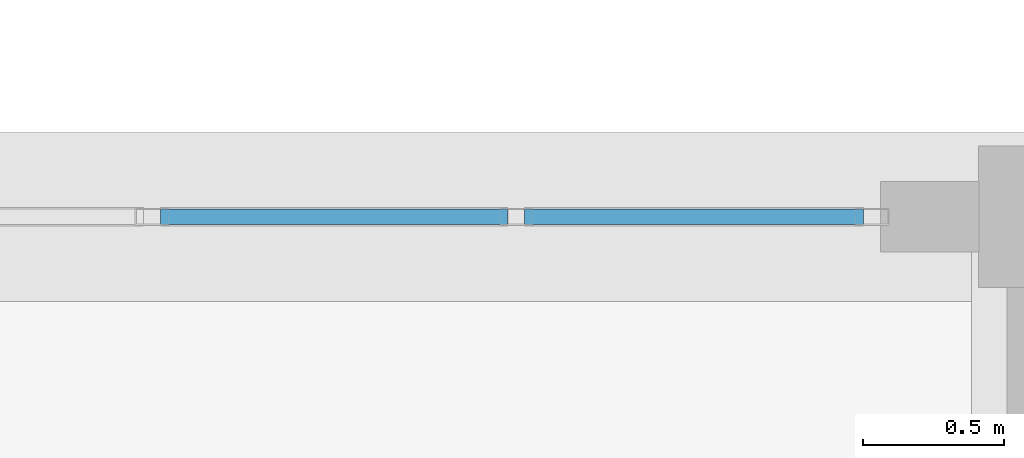
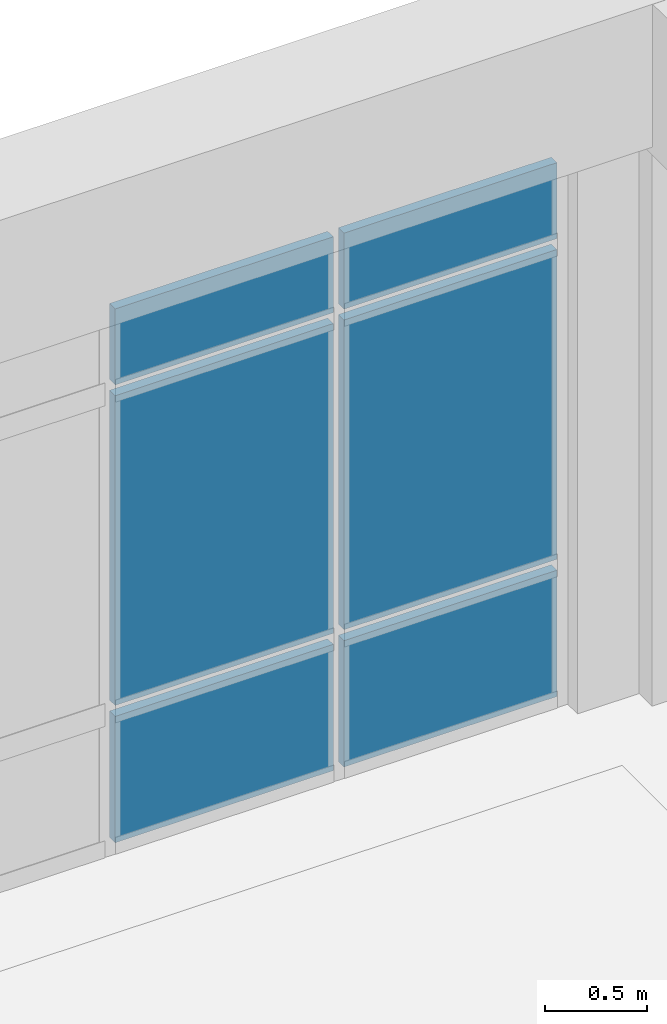
# One storey, part 74 of 109: 6 plates, 1 element without a shape of its own.
"""IFC4 building model written with IfcOpenShell, lengths in metres."""

from ifc_helpers import new_model, si_unit, direction, frame, origin, origin_2d, place, context, subcontext, project, spatial, rectangle, extrude, material, layer, layer_set, type_object, element, aggregate, save


model = new_model("IFC4")

# Units and contexts
model_context = context("Model", 3, precision=1e-05, world=origin(), true_north=direction((0.0, 1.0)))
body_context = subcontext(model_context, "Body", "Model", "MODEL_VIEW")
ifc_project = project(units=[si_unit("LENGTHUNIT", "METRE"), si_unit("AREAUNIT", "SQUARE_METRE"), si_unit("VOLUMEUNIT", "CUBIC_METRE"), si_unit("PLANEANGLEUNIT", "RADIAN"), si_unit("MASSUNIT", "GRAM", prefix="KILO")], contexts=[model_context])

# Site, building, storey
site_placement = place(None, origin())
site = spatial("IfcSite", under=ifc_project, at=site_placement, CompositionType="ELEMENT")
building_placement = place(site_placement, origin())
building = spatial("IfcBuilding", under=site, at=building_placement, Name="Fikremerkos Civic Library", CompositionType="ELEMENT")
storey_placement = place(building_placement, frame((0.0, 0.0, 5.39990234375)))
storey = spatial("IfcBuildingStorey", under=building, at=storey_placement, Name="L01", CompositionType="ELEMENT", Elevation=5.39990234375)

# Curtain wall, plates
ifc_material_1 = material(Name="Anodized aluminium Frame", Category="aluminium")
ifc_layer_1 = layer(ifc_material_1, 0.159912109375, Name="Anodized aluminium Frame")
ifc_layer_set_1 = layer_set([ifc_layer_1], Name="Anodized aluminium Frame")
curtain_wall_type = type_object("IfcCurtainWallType", Name="Unitised curtain wall CW-04 3400x3600", PredefinedType="USERDEFINED", material=ifc_layer_set_1)
curtain_wall_placement = place(storey_placement, origin())
curtain_wall = element("IfcCurtainWall", 1, at=curtain_wall_placement, inside=storey, type_object=curtain_wall_type, Name="Unitised curtain wall CW-04 L01 #94", ObjectType="UNITISED CURTAIN WALL", PredefinedType="USERDEFINED")
ifc_material_2 = material(Name="Insulated aluminium spandrel", Category="aluminium")
ifc_layer_2 = layer(ifc_material_2, 0.054931640625, Name="Insulated aluminium spandrel")
ifc_layer_set_2 = layer_set([ifc_layer_2], Name="Insulated aluminium spandrel")
plate_type = type_object("IfcPlateType", Name="Curtain spandrel panel CSP-02 55", PredefinedType="CURTAIN_PANEL", material=ifc_layer_set_2)
plate_1_placement = place(storey_placement, frame((97.66796875, 48.0, 0.065185546875), z_axis=(0.0, 0.0, 1.0), x_axis=(1.0, 0.0, 0.0)))
plate_1 = element("IfcPlate", 2, at=plate_1_placement, type_object=plate_type, Name="CW-04 panel 2.1", PredefinedType="CURTAIN_PANEL", context=body_context, shape_type="SweptSolid", body=[
    extrude(rectangle(XDim=1.229248046875, YDim=0.054931640625, at=origin_2d()), origin(), (0.0, 0.0, 1.0), 0.75244140625),
])
plate_2_placement = place(storey_placement, frame((97.66796875, 48.0, 0.8828125), z_axis=(0.0, 0.0, 1.0), x_axis=(1.0, 0.0, 0.0)))
plate_2 = element("IfcPlate", 3, at=plate_2_placement, type_object=plate_type, Name="CW-04 panel 2.2", PredefinedType="CURTAIN_PANEL", context=body_context, shape_type="SweptSolid", body=[
    extrude(rectangle(XDim=1.229248046875, YDim=0.054931640625, at=origin_2d()), origin(), (0.0, 0.0, 1.0), 1.844970703125),
])
plate_3_placement = place(storey_placement, frame((97.66796875, 48.0, 2.79248046875), z_axis=(0.0, 0.0, 1.0), x_axis=(1.0, 0.0, 0.0)))
plate_3 = element("IfcPlate", 4, at=plate_3_placement, type_object=plate_type, Name="CW-04 panel 2.3", PredefinedType="CURTAIN_PANEL", context=body_context, shape_type="SweptSolid", body=[
    extrude(rectangle(XDim=1.229248046875, YDim=0.054931640625, at=origin_2d()), origin(), (0.0, 0.0, 1.0), 0.452392578125),
])
plate_4_placement = place(storey_placement, frame((98.9423828125, 48.0, 0.065185546875), z_axis=(0.0, 0.0, 1.0), x_axis=(1.0, 0.0, 0.0)))
plate_4 = element("IfcPlate", 5, at=plate_4_placement, type_object=plate_type, Name="CW-04 panel 3.1", PredefinedType="CURTAIN_PANEL", context=body_context, shape_type="SweptSolid", body=[
    extrude(rectangle(XDim=1.19921875, YDim=0.054931640625, at=origin_2d()), origin(), (0.0, 0.0, 1.0), 0.75244140625),
])
plate_5_placement = place(storey_placement, frame((98.9423828125, 48.0, 0.8828125), z_axis=(0.0, 0.0, 1.0), x_axis=(1.0, 0.0, 0.0)))
plate_5 = element("IfcPlate", 6, at=plate_5_placement, type_object=plate_type, Name="CW-04 panel 3.2", PredefinedType="CURTAIN_PANEL", context=body_context, shape_type="SweptSolid", body=[
    extrude(rectangle(XDim=1.19921875, YDim=0.054931640625, at=origin_2d()), origin(), (0.0, 0.0, 1.0), 1.844970703125),
])
plate_6_placement = place(storey_placement, frame((98.9423828125, 48.0, 2.79248046875), z_axis=(0.0, 0.0, 1.0), x_axis=(1.0, 0.0, 0.0)))
plate_6 = element("IfcPlate", 7, at=plate_6_placement, type_object=plate_type, Name="CW-04 panel 3.3", PredefinedType="CURTAIN_PANEL", context=body_context, shape_type="SweptSolid", body=[
    extrude(rectangle(XDim=1.19921875, YDim=0.054931640625, at=origin_2d()), origin(), (0.0, 0.0, 1.0), 0.452392578125),
])
aggregate(curtain_wall, [plate_1, plate_2, plate_3, plate_4, plate_5, plate_6])

save(model, "model.ifc")
